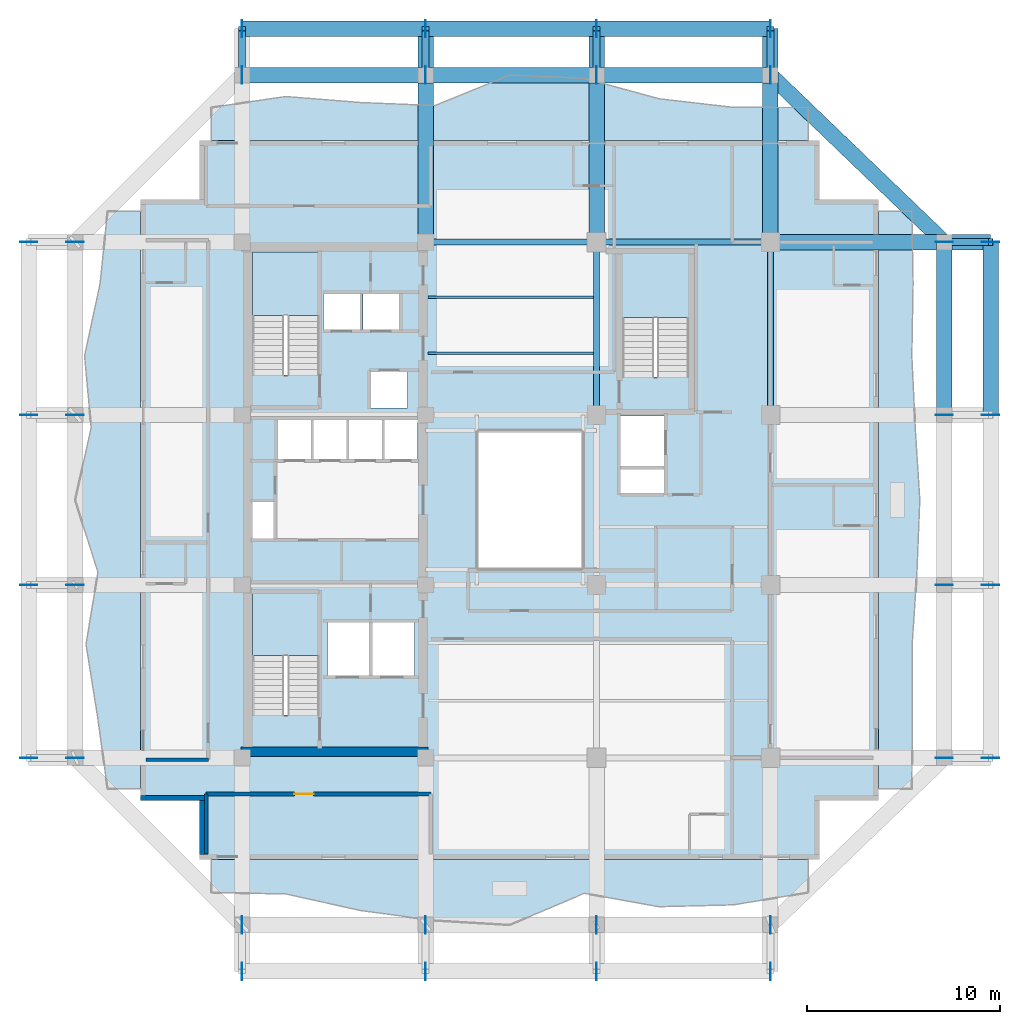
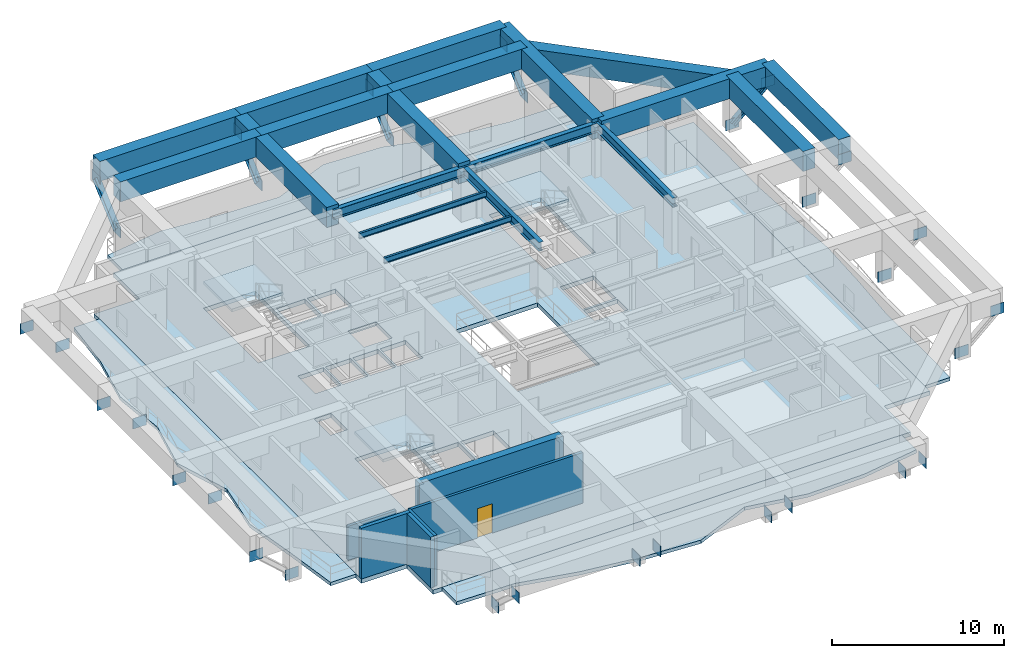
# One storey, part 2 of 11: 32 plates, 19 beams, 8 slabs, 6 walls, 5 members, 1 door, 1 opening, 3 elements without a shape of their own.
"""IFC4 building model written with IfcOpenShell, lengths in metres."""

from ifc_helpers import new_model, si_unit, direction, frame, frame_2d, origin, origin_2d, place, context, subcontext, project, spatial, polyline, rectangle, i_section, outline, extrude, material, layer, layer_set, material_profile, profile_set, type_object, element, fill, aggregate, save


model = new_model("IFC4")

# Units and contexts
model_context = context("Model", 3, precision=1e-05, world=origin(), true_north=direction((0.0, 1.0)))
body_context = subcontext(model_context, "Body", "Model", "MODEL_VIEW")
ifc_project = project(units=[si_unit("LENGTHUNIT", "METRE"), si_unit("AREAUNIT", "SQUARE_METRE"), si_unit("VOLUMEUNIT", "CUBIC_METRE"), si_unit("PLANEANGLEUNIT", "RADIAN"), si_unit("MASSUNIT", "GRAM", prefix="KILO")], contexts=[model_context])

# Site, building, storey
site_placement = place(None, origin())
site = spatial("IfcSite", under=ifc_project, at=site_placement, CompositionType="ELEMENT")
building_placement = place(site_placement, origin())
building = spatial("IfcBuilding", under=site, at=building_placement, Name="Kundavana Baori Tower", CompositionType="ELEMENT")
storey_placement = place(building_placement, frame((0.0, 0.0, 154.050048828125)))
storey = spatial("IfcBuildingStorey", under=building, at=storey_placement, Name="L37", CompositionType="ELEMENT", Elevation=154.050048828125)

# Beams
ifc_material_1 = material(Name="Structural Steel S355JR", Category="steel")
ifc_material_profile_1 = material_profile(ifc_material_1, i_section(OverallWidth=0.139892578125, OverallDepth=0.39990234375, WebThickness=0.0087890625, FlangeThickness=0.01611328125, FilletRadius=0.013916015625, at=origin_2d()), Name="ISMB 400")
ifc_profile_set_1 = profile_set([ifc_material_profile_1], Name="Structural Steel S355JR")
beam_type_1 = type_object("IfcBeamType", Name="BM-JST-400", PredefinedType="JOIST", material=ifc_profile_set_1)
for number, where, z_axis, x_axis, name in (
    (1, (25.080078125, 36.199951171875, 3.39990234375), (1.0, 0.0, 0.0), (0.0, 1.0, 0.0), "L37 Central Bay Composite Floor Joist C3"),
    (2, (25.080078125, 39.10009765625, 3.39990234375), (1.0, 0.0, 0.0), (0.0, 1.0, 0.0), "L37 Central Bay Composite Floor Joist C4"),
):
    element("IfcBeam", number, at=place(storey_placement, frame(where, z_axis=z_axis, x_axis=x_axis)), inside=storey, type_object=beam_type_1, Name=name, PredefinedType="JOIST", context=body_context, shape_type="SweptSolid", body=[
        extrude(i_section(OverallWidth=0.139892578125, OverallDepth=0.39990234375, WebThickness=0.0087890625, FlangeThickness=0.01611328125, FilletRadius=0.013916015625, at=origin_2d()), origin(), (0.0, 0.0, 1.0), 8.56982421875),
    ])
ifc_material_2 = material(Name="Structural Steel S355JR", Category="steel")
ifc_material_profile_2 = material_profile(ifc_material_2, i_section(OverallWidth=0.300048828125, OverallDepth=0.64990234375, WebThickness=0.013427734375, FlangeThickness=0.02197265625, FilletRadius=0.02392578125, at=origin_2d()), Name="NPB 650x300x155")
ifc_profile_set_2 = profile_set([ifc_material_profile_2], Name="Structural Steel S355JR")
beam_type_2 = type_object("IfcBeamType", Name="BM-ST-650", PredefinedType="BEAM", material=ifc_profile_set_2)
beam_1_placement = place(storey_placement, frame((24.949951171875, 41.949951171875, 3.27490234375), z_axis=(1.0, 0.0, 0.0), x_axis=(0.0, 1.0, 0.0)))
element("IfcBeam", 3, at=beam_1_placement, inside=storey, type_object=beam_type_2, Name="L37 Primary Grid Girder GX-4-2", PredefinedType="BEAM", context=body_context, shape_type="SweptSolid", body=[
    extrude(i_section(OverallWidth=0.300048828125, OverallDepth=0.64990234375, WebThickness=0.013427734375, FlangeThickness=0.02197265625, FilletRadius=0.02392578125, at=origin_2d()), origin(), (0.0, 0.0, 1.0), 8.85009765625),
])
beam_2_placement = place(storey_placement, frame((33.800048828125, 41.949951171875, 3.27490234375), z_axis=(1.0, 0.0, 0.0), x_axis=(0.0, 1.0, 0.0)))
element("IfcBeam", 4, at=beam_2_placement, inside=storey, type_object=beam_type_2, Name="L37 Primary Grid Girder GX-4-3", PredefinedType="BEAM", context=body_context, shape_type="SweptSolid", body=[
    extrude(i_section(OverallWidth=0.300048828125, OverallDepth=0.64990234375, WebThickness=0.013427734375, FlangeThickness=0.02197265625, FilletRadius=0.02392578125, at=origin_2d()), origin(), (0.0, 0.0, 1.0), 9.0),
])
for number, where, z_axis, x_axis, name in (
    (5, (33.800048828125, 33.0, 3.27490234375), (0.0, 1.0, 0.0), (-1.0, 0.0, 0.0), "L37 Primary Grid Girder GY-3-3"),
    (6, (42.800048828125, 33.0, 3.27490234375), (0.0, 1.0, 0.0), (-1.0, 0.0, 0.0), "L37 Primary Grid Girder GY-4-3"),
):
    element("IfcBeam", number, at=place(storey_placement, frame(where, z_axis=z_axis, x_axis=x_axis)), inside=storey, type_object=beam_type_2, Name=name, PredefinedType="BEAM", context=body_context, shape_type="SweptSolid", body=[
        extrude(i_section(OverallWidth=0.300048828125, OverallDepth=0.64990234375, WebThickness=0.013427734375, FlangeThickness=0.02197265625, FilletRadius=0.02392578125, at=origin_2d()), origin(), (0.0, 0.0, 1.0), 8.949951171875),
    ])
ifc_material_3 = material(Name="Concrete C50/60", Category="concrete")
ifc_material_profile_3 = material_profile(ifc_material_3, rectangle(XDim=0.800048828125, YDim=1.419921875, at=origin_2d()), Name="BM-TG-4")
ifc_profile_set_3 = profile_set([ifc_material_profile_3], Name="Concrete C50/60")
beam_type_3 = type_object("IfcBeamType", Name="BM-TG-4", PredefinedType="USERDEFINED", material=ifc_profile_set_3)
beam_3_placement = place(storey_placement, frame((15.449951171875, 50.60009765625, 3.139892578125), z_axis=(1.0, 0.0, 0.0), x_axis=(0.0, 1.0, 0.0)))
element("IfcBeam", 7, at=beam_3_placement, inside=storey, type_object=beam_type_3, Name="L37 Perimeter Frame Ring Beam N1", ObjectType="TRANSFER GIRDER", PredefinedType="USERDEFINED", context=body_context, shape_type="SweptSolid", body=[
    extrude(rectangle(XDim=0.800048828125, YDim=1.419921875, at=origin_2d()), origin(), (0.0, 0.0, 1.0), 9.5),
])
beam_4_placement = place(storey_placement, frame((24.949951171875, 50.60009765625, 3.139892578125), z_axis=(1.0, 0.0, 0.0), x_axis=(0.0, 1.0, 0.0)))
element("IfcBeam", 8, at=beam_4_placement, inside=storey, type_object=beam_type_3, Name="L37 Perimeter Frame Ring Beam N2", ObjectType="TRANSFER GIRDER", PredefinedType="USERDEFINED", context=body_context, shape_type="SweptSolid", body=[
    extrude(rectangle(XDim=0.800048828125, YDim=1.419921875, at=origin_2d()), origin(), (0.0, 0.0, 1.0), 8.85009765625),
])
beam_5_placement = place(storey_placement, frame((33.800048828125, 50.60009765625, 3.139892578125), z_axis=(1.0, 0.0, 0.0), x_axis=(0.0, 1.0, 0.0)))
element("IfcBeam", 9, at=beam_5_placement, inside=storey, type_object=beam_type_3, Name="L37 Perimeter Frame Ring Beam N3", ObjectType="TRANSFER GIRDER", PredefinedType="USERDEFINED", context=body_context, shape_type="SweptSolid", body=[
    extrude(rectangle(XDim=0.800048828125, YDim=1.419921875, at=origin_2d()), origin(), (0.0, 0.0, 1.0), 9.0),
])
beam_6_placement = place(storey_placement, frame((51.800048828125, 33.0, 3.139892578125), z_axis=(0.0, 1.0, 0.0), x_axis=(-1.0, 0.0, 0.0)))
element("IfcBeam", 10, at=beam_6_placement, inside=storey, type_object=beam_type_3, Name="L37 Perimeter Frame Ring Beam E3", ObjectType="TRANSFER GIRDER", PredefinedType="USERDEFINED", context=body_context, shape_type="SweptSolid", body=[
    extrude(rectangle(XDim=0.800048828125, YDim=1.419921875, at=origin_2d()), origin(), (0.0, 0.0, 1.0), 8.949951171875),
])
beam_7_placement = place(storey_placement, frame((42.800048828125, 50.60009765625, 3.139892578125), z_axis=(0.720981122985, -0.692954702921, 0.0), x_axis=(0.692954702921, 0.720981122985, 0.0)))
element("IfcBeam", 11, at=beam_7_placement, inside=storey, type_object=beam_type_3, Name="L37 Notched Corner Perimeter Beam NE", ObjectType="TRANSFER GIRDER", PredefinedType="USERDEFINED", context=body_context, shape_type="SweptSolid", body=[
    extrude(rectangle(XDim=0.800048828125, YDim=1.419921875, at=origin_2d()), origin(), (0.0, 0.0, 1.0), 12.48291015625),
])
for number, where, z_axis, x_axis, name in (
    (12, (24.949951171875, 41.949951171875, 3.139892578125), (0.0, 1.0, 0.0), (-1.0, 0.0, 0.0), "L37 North Radial Transfer Girder N2"),
    (13, (33.800048828125, 41.949951171875, 3.139892578125), (0.0, 1.0, 0.0), (-1.0, 0.0, 0.0), "L37 North Radial Transfer Girder N3"),
    (14, (42.800048828125, 41.949951171875, 3.139892578125), (0.0, 1.0, 0.0), (-1.0, 0.0, 0.0), "L37 North Radial Transfer Girder N4"),
):
    element("IfcBeam", number, at=place(storey_placement, frame(where, z_axis=z_axis, x_axis=x_axis)), inside=storey, type_object=beam_type_3, Name=name, ObjectType="TRANSFER GIRDER", PredefinedType="USERDEFINED", context=body_context, shape_type="SweptSolid", body=[
        extrude(rectangle(XDim=0.800048828125, YDim=1.419921875, at=origin_2d()), origin(), (0.0, 0.0, 1.0), 11.050048828125),
    ])
beam_8_placement = place(storey_placement, frame((42.800048828125, 41.949951171875, 3.139892578125), z_axis=(1.0, 0.0, 0.0), x_axis=(0.0, 1.0, 0.0)))
element("IfcBeam", 15, at=beam_8_placement, inside=storey, type_object=beam_type_3, Name="L37 East Radial Transfer Girder E4", ObjectType="TRANSFER GIRDER", PredefinedType="USERDEFINED", context=body_context, shape_type="SweptSolid", body=[
    extrude(rectangle(XDim=0.800048828125, YDim=1.419921875, at=origin_2d()), origin(), (0.0, 0.0, 1.0), 11.39990234375),
])
beam_9_placement = place(storey_placement, frame((15.449951171875, 53.0, 3.139892578125), z_axis=(1.0, 0.0, 0.0), x_axis=(0.0, 1.0, 0.0)))
element("IfcBeam", 16, at=beam_9_placement, inside=storey, type_object=beam_type_3, Name="L37 Setback Collar Transfer Girder N1", ObjectType="TRANSFER GIRDER", PredefinedType="USERDEFINED", context=body_context, shape_type="SweptSolid", body=[
    extrude(rectangle(XDim=0.800048828125, YDim=1.419921875, at=origin_2d()), origin(), (0.0, 0.0, 1.0), 9.5),
])
beam_10_placement = place(storey_placement, frame((24.949951171875, 53.0, 3.139892578125), z_axis=(1.0, 0.0, 0.0), x_axis=(0.0, 1.0, 0.0)))
element("IfcBeam", 17, at=beam_10_placement, inside=storey, type_object=beam_type_3, Name="L37 Setback Collar Transfer Girder N2", ObjectType="TRANSFER GIRDER", PredefinedType="USERDEFINED", context=body_context, shape_type="SweptSolid", body=[
    extrude(rectangle(XDim=0.800048828125, YDim=1.419921875, at=origin_2d()), origin(), (0.0, 0.0, 1.0), 8.85009765625),
])
beam_11_placement = place(storey_placement, frame((33.800048828125, 53.0, 3.139892578125), z_axis=(1.0, 0.0, 0.0), x_axis=(0.0, 1.0, 0.0)))
element("IfcBeam", 18, at=beam_11_placement, inside=storey, type_object=beam_type_3, Name="L37 Setback Collar Transfer Girder N3", ObjectType="TRANSFER GIRDER", PredefinedType="USERDEFINED", context=body_context, shape_type="SweptSolid", body=[
    extrude(rectangle(XDim=0.800048828125, YDim=1.419921875, at=origin_2d()), origin(), (0.0, 0.0, 1.0), 9.0),
])
beam_12_placement = place(storey_placement, frame((54.199951171875, 33.0, 3.139892578125), z_axis=(0.0, 1.0, 0.0), x_axis=(-1.0, 0.0, 0.0)))
element("IfcBeam", 19, at=beam_12_placement, inside=storey, type_object=beam_type_3, Name="L37 Setback Collar Transfer Girder E3", ObjectType="TRANSFER GIRDER", PredefinedType="USERDEFINED", context=body_context, shape_type="SweptSolid", body=[
    extrude(rectangle(XDim=0.800048828125, YDim=1.419921875, at=origin_2d()), origin(), (0.0, 0.0, 1.0), 8.949951171875),
])

# Members
ifc_material_4 = material(Name="Structural Steel S355JR", Category="steel")
ifc_material_profile_4 = material_profile(ifc_material_4, i_section(OverallWidth=0.360107421875, OverallDepth=0.360107421875, WebThickness=0.012451171875, FlangeThickness=0.0224609375, FilletRadius=0.02392578125, at=origin_2d()), Name="WPB 360x360x142")
ifc_profile_set_4 = profile_set([ifc_material_profile_4], Name="Structural Steel S355JR")
member_type = type_object("IfcMemberType", Name="MEM-WSTR-360", PredefinedType="STRUT", material=ifc_profile_set_4)
for number, where, z_axis, x_axis, name in (
    (20, (15.449951171875, 50.60009765625, 0.280029296875), (0.0, 0.744836904798, 0.667246570056), (-1.0, 0.0, 0.0), "L37 Waist Flare Raked Steel Strut N1"),
    (21, (24.949951171875, 50.60009765625, 0.280029296875), (0.0, 0.744836904798, 0.667246570056), (-1.0, 0.0, 0.0), "L37 Waist Flare Raked Steel Strut N2"),
    (22, (33.800048828125, 50.60009765625, 0.280029296875), (0.0, 0.744836904798, 0.667246570056), (-1.0, 0.0, 0.0), "L37 Waist Flare Raked Steel Strut N3"),
    (23, (42.800048828125, 50.60009765625, 0.280029296875), (0.0, 0.744836904798, 0.667246570056), (-1.0, 0.0, 0.0), "L37 Waist Flare Raked Steel Strut N4"),
    (24, (51.800048828125, 41.949951171875, 0.280029296875), (0.744836904798, 0.0, 0.667246570056), (0.0, 1.0, 0.0), "L37 Waist Flare Raked Steel Strut E4"),
):
    element("IfcMember", number, at=place(storey_placement, frame(where, z_axis=z_axis, x_axis=x_axis)), inside=storey, type_object=member_type, Name=name, PredefinedType="STRUT", context=body_context, shape_type="SweptSolid", body=[
        extrude(i_section(OverallWidth=0.360107421875, OverallDepth=0.360107421875, WebThickness=0.012451171875, FlangeThickness=0.0224609375, FilletRadius=0.02392578125, at=origin_2d()), origin(), (0.0, 0.0, 1.0), 3.22216796875),
    ])

# Plates
ifc_material_5 = material(Name="Structural Steel S355JR", Category="steel")
ifc_layer_1 = layer(ifc_material_5, 0.031982421875, Name="PLT-GUSSET-32")
ifc_layer_set_1 = layer_set([ifc_layer_1], Name="Structural Steel S355JR")
plate_type = type_object("IfcPlateType", Name="PLT-GUSSET-32", PredefinedType="USERDEFINED", material=ifc_layer_set_1)
for number, where, z_axis, x_axis, name in (
    (25, (15.449951171875, 6.60009765625, -0.094970703125), (0.0, 0.0, 1.0), (1.0, 0.0, 0.0), "L37 Flare Strut Base Gusset Plate S1"),
    (26, (15.449951171875, 4.199951171875, 2.054931640625), (0.0, 0.0, 1.0), (1.0, 0.0, 0.0), "L37 Flare Strut Top Gusset Plate S1"),
    (27, (15.449951171875, 50.60009765625, -0.094970703125), (0.0, 0.0, 1.0), (1.0, 0.0, 0.0), "L37 Flare Strut Base Gusset Plate N1"),
    (28, (15.449951171875, 53.0, 2.054931640625), (0.0, 0.0, 1.0), (1.0, 0.0, 0.0), "L37 Flare Strut Top Gusset Plate N1"),
    (29, (24.949951171875, 6.60009765625, -0.094970703125), (0.0, 0.0, 1.0), (1.0, 0.0, 0.0), "L37 Flare Strut Base Gusset Plate S2"),
    (30, (24.949951171875, 4.199951171875, 2.054931640625), (0.0, 0.0, 1.0), (1.0, 0.0, 0.0), "L37 Flare Strut Top Gusset Plate S2"),
    (31, (24.949951171875, 50.60009765625, -0.094970703125), (0.0, 0.0, 1.0), (1.0, 0.0, 0.0), "L37 Flare Strut Base Gusset Plate N2"),
    (32, (24.949951171875, 53.0, 2.054931640625), (0.0, 0.0, 1.0), (1.0, 0.0, 0.0), "L37 Flare Strut Top Gusset Plate N2"),
    (33, (33.800048828125, 6.60009765625, -0.094970703125), (0.0, 0.0, 1.0), (1.0, 0.0, 0.0), "L37 Flare Strut Base Gusset Plate S3"),
    (34, (33.800048828125, 4.199951171875, 2.054931640625), (0.0, 0.0, 1.0), (1.0, 0.0, 0.0), "L37 Flare Strut Top Gusset Plate S3"),
    (35, (33.800048828125, 50.60009765625, -0.094970703125), (0.0, 0.0, 1.0), (1.0, 0.0, 0.0), "L37 Flare Strut Base Gusset Plate N3"),
    (36, (33.800048828125, 53.0, 2.054931640625), (0.0, 0.0, 1.0), (1.0, 0.0, 0.0), "L37 Flare Strut Top Gusset Plate N3"),
    (37, (42.800048828125, 6.60009765625, -0.094970703125), (0.0, 0.0, 1.0), (1.0, 0.0, 0.0), "L37 Flare Strut Base Gusset Plate S4"),
    (38, (42.800048828125, 4.199951171875, 2.054931640625), (0.0, 0.0, 1.0), (1.0, 0.0, 0.0), "L37 Flare Strut Top Gusset Plate S4"),
    (39, (42.800048828125, 50.60009765625, -0.094970703125), (0.0, 0.0, 1.0), (1.0, 0.0, 0.0), "L37 Flare Strut Base Gusset Plate N4"),
    (40, (42.800048828125, 53.0, 2.054931640625), (0.0, 0.0, 1.0), (1.0, 0.0, 0.0), "L37 Flare Strut Top Gusset Plate N4"),
):
    element("IfcPlate", number, at=place(storey_placement, frame(where, z_axis=z_axis, x_axis=x_axis)), inside=storey, type_object=plate_type, Name=name, ObjectType="GUSSET PLATE", PredefinedType="USERDEFINED", context=body_context, shape_type="SweptSolid", body=[
        extrude(rectangle(XDim=0.031982421875, YDim=0.89990234375, at=origin_2d()), origin(), (0.0, 0.0, 1.0), 0.75),
    ])
for number, where, z_axis, x_axis, name in (
    (41, (6.800048828125, 15.25, -0.094970703125), (0.0, 0.0, 1.0), (1.0, 0.0, 0.0), "L37 Flare Strut Base Gusset Plate W1"),
    (42, (4.39990234375, 15.25, 2.054931640625), (0.0, 0.0, 1.0), (1.0, 0.0, 0.0), "L37 Flare Strut Top Gusset Plate W1"),
    (43, (51.800048828125, 15.25, -0.094970703125), (0.0, 0.0, 1.0), (1.0, 0.0, 0.0), "L37 Flare Strut Base Gusset Plate E1"),
    (44, (54.199951171875, 15.25, 2.054931640625), (0.0, 0.0, 1.0), (1.0, 0.0, 0.0), "L37 Flare Strut Top Gusset Plate E1"),
    (45, (6.800048828125, 24.199951171875, -0.094970703125), (0.0, 0.0, 1.0), (1.0, 0.0, 0.0), "L37 Flare Strut Base Gusset Plate W2"),
    (46, (4.39990234375, 24.199951171875, 2.054931640625), (0.0, 0.0, 1.0), (1.0, 0.0, 0.0), "L37 Flare Strut Top Gusset Plate W2"),
    (47, (51.800048828125, 24.199951171875, -0.094970703125), (0.0, 0.0, 1.0), (1.0, 0.0, 0.0), "L37 Flare Strut Base Gusset Plate E2"),
    (48, (54.199951171875, 24.199951171875, 2.054931640625), (0.0, 0.0, 1.0), (1.0, 0.0, 0.0), "L37 Flare Strut Top Gusset Plate E2"),
    (49, (6.800048828125, 33.0, -0.094970703125), (0.0, 0.0, 1.0), (1.0, 0.0, 0.0), "L37 Flare Strut Base Gusset Plate W3"),
    (50, (4.39990234375, 33.0, 2.054931640625), (0.0, 0.0, 1.0), (1.0, 0.0, 0.0), "L37 Flare Strut Top Gusset Plate W3"),
    (51, (51.800048828125, 33.0, -0.094970703125), (0.0, 0.0, 1.0), (1.0, 0.0, 0.0), "L37 Flare Strut Base Gusset Plate E3"),
    (52, (54.199951171875, 33.0, 2.054931640625), (0.0, 0.0, 1.0), (1.0, 0.0, 0.0), "L37 Flare Strut Top Gusset Plate E3"),
    (53, (6.800048828125, 41.949951171875, -0.094970703125), (0.0, 0.0, 1.0), (1.0, 0.0, 0.0), "L37 Flare Strut Base Gusset Plate W4"),
    (54, (4.39990234375, 41.949951171875, 2.054931640625), (0.0, 0.0, 1.0), (1.0, 0.0, 0.0), "L37 Flare Strut Top Gusset Plate W4"),
    (55, (51.800048828125, 41.949951171875, -0.094970703125), (0.0, 0.0, 1.0), (1.0, 0.0, 0.0), "L37 Flare Strut Base Gusset Plate E4"),
    (56, (54.199951171875, 41.949951171875, 2.054931640625), (0.0, 0.0, 1.0), (1.0, 0.0, 0.0), "L37 Flare Strut Top Gusset Plate E4"),
):
    element("IfcPlate", number, at=place(storey_placement, frame(where, z_axis=z_axis, x_axis=x_axis)), inside=storey, type_object=plate_type, Name=name, ObjectType="GUSSET PLATE", PredefinedType="USERDEFINED", context=body_context, shape_type="SweptSolid", body=[
        extrude(rectangle(XDim=0.89990234375, YDim=0.031982421875, at=origin_2d()), origin(), (0.0, 0.0, 1.0), 0.75),
    ])

# Slab
ifc_material_6 = material(Name="Concrete C40/50", Category="concrete")
ifc_layer_2 = layer(ifc_material_6, 0.300048828125, Name="SLB-FLR-300")
ifc_layer_set_2 = layer_set([ifc_layer_2], Name="Concrete C40/50")
slab_type_1 = type_object("IfcSlabType", Name="SLB-FLR-300", PredefinedType="FLOOR", material=ifc_layer_set_2)
slab_1_placement = place(storey_placement, frame((0.0, 0.0, -0.300048828125)))
element("IfcSlab", 57, at=slab_1_placement, inside=storey, type_object=slab_type_1, Name="L37 Structural Floor Slab", PredefinedType="FLOOR", context=body_context, shape_type="SweptSolid", body=[
    extrude(outline(polyline([(13.25, 10.0), (45.35009765625, 10.0), (45.35009765625, 13.050048828125), (48.39990234375, 13.050048828125), (48.39990234375, 44.14990234375), (45.35009765625, 44.14990234375), (45.35009765625, 47.199951171875), (13.25, 47.199951171875), (13.25, 44.14990234375), (10.199951171875, 44.14990234375), (10.199951171875, 13.050048828125), (13.25, 13.050048828125), (13.25, 10.0)]), holes=[polyline([(19.43994140625, 17.4619140625), (19.43994140625, 23.85009765625), (15.97998046875, 23.85009765625), (15.97998046875, 17.4619140625), (19.43994140625, 17.4619140625)]), polyline([(19.43994140625, 35.06201171875), (19.43994140625, 41.449951171875), (15.97998046875, 41.449951171875), (15.97998046875, 35.06201171875), (19.43994140625, 35.06201171875)]), polyline([(38.580078125, 34.9619140625), (38.580078125, 41.35009765625), (35.1201171875, 41.35009765625), (35.1201171875, 34.9619140625), (38.580078125, 34.9619140625)]), polyline([(17.300048828125, 30.699951171875), (19.02001953125, 30.699951171875), (19.02001953125, 32.75), (17.300048828125, 32.75), (17.300048828125, 30.699951171875)]), polyline([(19.139892578125, 30.699951171875), (20.860107421875, 30.699951171875), (20.860107421875, 32.75), (19.139892578125, 32.75), (19.139892578125, 30.699951171875)]), polyline([(20.97998046875, 30.699951171875), (22.699951171875, 30.699951171875), (22.699951171875, 32.75), (20.97998046875, 32.75), (20.97998046875, 30.699951171875)]), polyline([(22.820068359375, 30.699951171875), (24.5400390625, 30.699951171875), (24.5400390625, 32.75), (22.820068359375, 32.75), (22.820068359375, 30.699951171875)]), polyline([(19.64990234375, 37.39990234375), (21.550048828125, 37.39990234375), (21.550048828125, 39.300048828125), (19.64990234375, 39.300048828125), (19.64990234375, 37.39990234375)]), polyline([(21.699951171875, 37.39990234375), (23.60009765625, 37.39990234375), (23.60009765625, 39.300048828125), (21.699951171875, 39.300048828125), (21.699951171875, 37.39990234375)]), polyline([(22.10009765625, 33.35009765625), (24.0, 33.35009765625), (24.0, 35.25), (22.10009765625, 35.25), (22.10009765625, 33.35009765625)]), polyline([(19.8798828125, 19.5), (22.02001953125, 19.5), (22.02001953125, 22.25), (19.8798828125, 22.25), (19.8798828125, 19.5)]), polyline([(22.179931640625, 19.5), (24.3798828125, 19.5), (24.3798828125, 22.25), (22.179931640625, 22.25), (22.179931640625, 19.5)]), polyline([(35.050048828125, 30.35009765625), (37.300048828125, 30.35009765625), (37.300048828125, 32.949951171875), (35.050048828125, 32.949951171875), (35.050048828125, 30.35009765625)]), polyline([(15.949951171875, 26.60009765625), (17.080078125, 26.60009765625), (17.080078125, 28.5), (15.949951171875, 28.5), (15.949951171875, 26.60009765625)]), polyline([(35.050048828125, 28.949951171875), (37.300048828125, 28.949951171875), (37.300048828125, 30.199951171875), (35.050048828125, 30.199951171875), (35.050048828125, 28.949951171875)]), polyline([(27.60009765625, 25.0), (33.10009765625, 25.0), (33.10009765625, 32.199951171875), (27.60009765625, 32.199951171875), (27.60009765625, 25.0)])]), origin(), (0.0, 0.0, 1.0), 0.300048828125),
])

# Stair, slab
ifc_material_7 = material(Name="Concrete C40/50", Category="concrete")
stair_type = type_object("IfcStairType", Name="STR-DOG-1650", PredefinedType="HALF_TURN_STAIR", material=ifc_material_7)
stair_1_placement = place(storey_placement, origin())
stair_1 = element("IfcStair", 58, at=stair_1_placement, inside=storey, type_object=stair_type, Name="L37 Protected Exit Stair ST1", PredefinedType="HALF_TURN_STAIR")
ifc_material_8 = material(Name="Concrete C40/50", Category="concrete")
ifc_layer_3 = layer(ifc_material_8, 0.199951171875, Name="SLB-LND-200")
ifc_layer_set_3 = layer_set([ifc_layer_3], Name="Concrete C40/50")
slab_type_2 = type_object("IfcSlabType", Name="SLB-LND-200", PredefinedType="LANDING", material=ifc_layer_set_3)
slab_2_placement = place(storey_placement, frame((0.0, 0.0, 1.724853515625)))
slab_2 = element("IfcSlab", 59, at=slab_2_placement, type_object=slab_type_2, Name="ST1 landing 1", PredefinedType="LANDING", context=body_context, shape_type="SweptSolid", body=[
    extrude(outline(polyline([(19.43994140625, 20.550048828125), (19.43994140625, 23.85009765625), (15.97998046875, 23.85009765625), (15.97998046875, 20.550048828125), (19.43994140625, 20.550048828125)])), origin(), (0.0, 0.0, 1.0), 0.2001953125),
])
aggregate(stair_1, [slab_2])

stair_2_placement = place(storey_placement, origin())
stair_2 = element("IfcStair", 60, at=stair_2_placement, inside=storey, type_object=stair_type, Name="L37 Protected Exit Stair ST2", PredefinedType="HALF_TURN_STAIR")
slab_3_placement = place(storey_placement, frame((0.0, 0.0, 1.724853515625)))
slab_3 = element("IfcSlab", 61, at=slab_3_placement, type_object=slab_type_2, Name="ST2 landing 1", PredefinedType="LANDING", context=body_context, shape_type="SweptSolid", body=[
    extrude(outline(polyline([(19.43994140625, 38.14990234375), (19.43994140625, 41.449951171875), (15.97998046875, 41.449951171875), (15.97998046875, 38.14990234375), (19.43994140625, 38.14990234375)])), origin(), (0.0, 0.0, 1.0), 0.2001953125),
])
aggregate(stair_2, [slab_3])

stair_3_placement = place(storey_placement, origin())
stair_3 = element("IfcStair", 62, at=stair_3_placement, inside=storey, type_object=stair_type, Name="L37 Protected Exit Stair ST3", PredefinedType="HALF_TURN_STAIR")
slab_4_placement = place(storey_placement, frame((0.0, 0.0, 1.724853515625)))
slab_4 = element("IfcSlab", 63, at=slab_4_placement, type_object=slab_type_2, Name="ST3 landing 1", PredefinedType="LANDING", context=body_context, shape_type="SweptSolid", body=[
    extrude(outline(polyline([(38.580078125, 38.050048828125), (38.580078125, 41.35009765625), (35.1201171875, 41.35009765625), (35.1201171875, 38.050048828125), (38.580078125, 38.050048828125)])), origin(), (0.0, 0.0, 1.0), 0.2001953125),
])
aggregate(stair_3, [slab_4])

# Slabs
ifc_material_9 = material(Name="Concrete C40/50", Category="concrete")
ifc_layer_4 = layer(ifc_material_9, 0.239990234375, Name="SLB-LOG-240")
ifc_layer_set_4 = layer_set([ifc_layer_4], Name="Concrete C40/50")
slab_type_3 = type_object("IfcSlabType", Name="SLB-LOG-240", PredefinedType="FLOOR", material=ifc_layer_set_4)
slab_5_placement = place(storey_placement, frame((0.0, 0.0, -0.239990234375)))
element("IfcSlab", 64, at=slab_5_placement, inside=storey, type_object=slab_type_3, Name="L37 Planted Loggia Balcony Slab S", PredefinedType="FLOOR", context=body_context, shape_type="SweptSolid", body=[
    extrude(outline(polyline([(13.85009765625, 10.0), (44.75, 10.0), (44.75, 8.280029296875), (40.886962890625, 7.64111328125), (37.02490234375, 7.544921875), (33.1630859375, 8.238037109375), (29.300048828125, 6.60009765625), (25.43798828125, 6.827880859375), (21.574951171875, 7.34912109375), (17.7119140625, 8.2060546875), (13.85009765625, 8.280029296875), (13.85009765625, 10.0)])), origin(), (0.0, 0.0, 1.0), 0.239990234375),
])
slab_6_placement = place(storey_placement, frame((0.0, 0.0, -0.239990234375)))
element("IfcSlab", 65, at=slab_6_placement, inside=storey, type_object=slab_type_3, Name="L37 Planted Loggia Balcony Slab E", PredefinedType="FLOOR", context=body_context, shape_type="SweptSolid", body=[
    extrude(outline(polyline([(48.39990234375, 13.64990234375), (48.39990234375, 43.550048828125), (50.1201171875, 43.550048828125), (50.18505859375, 39.81201171875), (50.1201171875, 36.074951171875), (50.2958984375, 32.3369140625), (50.533935546875, 28.60009765625), (50.384033203125, 24.862060546875), (50.138916015625, 21.125), (50.152099609375, 17.386962890625), (50.1201171875, 13.64990234375), (48.39990234375, 13.64990234375)])), origin(), (0.0, 0.0, 1.0), 0.239990234375),
])
slab_7_placement = place(storey_placement, frame((0.0, 0.0, -0.239990234375)))
element("IfcSlab", 66, at=slab_7_placement, inside=storey, type_object=slab_type_3, Name="L37 Planted Loggia Balcony Slab N", PredefinedType="FLOOR", context=body_context, shape_type="SweptSolid", body=[
    extrude(outline(polyline([(44.75, 47.199951171875), (13.85009765625, 47.199951171875), (13.85009765625, 48.919921875), (17.7119140625, 49.488037109375), (21.574951171875, 49.177001953125), (25.43798828125, 49.02001953125), (29.300048828125, 50.60009765625), (33.1630859375, 50.429931640625), (37.02490234375, 49.373046875), (40.886962890625, 48.924072265625), (44.75, 48.919921875), (44.75, 47.199951171875)])), origin(), (0.0, 0.0, 1.0), 0.239990234375),
])
slab_8_placement = place(storey_placement, frame((0.0, 0.0, -0.239990234375)))
element("IfcSlab", 67, at=slab_8_placement, inside=storey, type_object=slab_type_3, Name="L37 Planted Loggia Balcony Slab W", PredefinedType="FLOOR", context=body_context, shape_type="SweptSolid", body=[
    extrude(outline(polyline([(10.199951171875, 43.550048828125), (10.199951171875, 13.64990234375), (8.47998046875, 13.64990234375), (7.965087890625, 17.386962890625), (7.366943359375, 21.125), (7.98388671875, 24.862060546875), (6.800048828125, 28.60009765625), (7.633056640625, 32.3369140625), (7.29296875, 36.074951171875), (8.09912109375, 39.81201171875), (8.47998046875, 43.550048828125), (10.199951171875, 43.550048828125)])), origin(), (0.0, 0.0, 1.0), 0.239990234375),
])

# Walls
ifc_material_10 = material(Name="Concrete C50/60", Category="concrete")
ifc_layer_5 = layer(ifc_material_10, 0.5, Name="WL-CORE-500")
ifc_layer_set_5 = layer_set([ifc_layer_5], Name="Concrete C50/60")
wall_type_1 = type_object("IfcWallType", Name="WL-CORE-500", PredefinedType="SHEAR", material=ifc_layer_set_5)
wall_1_placement = place(storey_placement, frame((15.39990234375, 15.56005859375, 0.0), z_axis=(0.0, 0.0, 1.0), x_axis=(1.0, 0.0, 0.0)))
element("IfcWall", 68, at=wall_1_placement, inside=storey, type_object=wall_type_1, Name="L37 Offset Core South Shear Wall", PredefinedType="SHEAR", context=body_context, shape_type="SweptSolid", body=[
    extrude(rectangle(XDim=9.68017578125, YDim=0.5, at=frame_2d((4.840087890625, 0.0))), origin(), (0.0, 0.0, 1.0), 3.599853515625),
])
ifc_material_11 = material(Name="Kiln-Fired Terracotta Brick-Slip Masonry on Concrete C40/50", Category="masonry")
ifc_layer_6 = layer(ifc_material_11, 0.260009765625, Name="WL-EXT-BRK-260")
ifc_layer_set_6 = layer_set([ifc_layer_6], Name="Kiln-Fired Terracotta Brick-Slip Masonry on Concrete C40/50")
wall_type_2 = type_object("IfcWallType", Name="WL-EXT-BRK-260", PredefinedType="SOLIDWALL", material=ifc_layer_set_6)
wall_2_placement = place(storey_placement, frame((10.199951171875, 13.179931640625, 0.0), z_axis=(0.0, 0.0, 1.0), x_axis=(1.0, 0.0, 0.0)))
element("IfcWall", 69, at=wall_2_placement, inside=storey, type_object=wall_type_2, Name="L37 Exterior Insulated Facade Wall 11", PredefinedType="SOLIDWALL", context=body_context, shape_type="SweptSolid", body=[
    extrude(rectangle(XDim=3.31005859375, YDim=0.260009765625, at=frame_2d((1.655029296875, 0.0))), origin(), (0.0, 0.0, 1.0), 3.599853515625),
])
wall_3_placement = place(storey_placement, frame((13.3798828125, 13.050048828125, 0.0), z_axis=(0.0, 0.0, 1.0), x_axis=(0.0, -1.0, 0.0)))
element("IfcWall", 70, at=wall_3_placement, inside=storey, type_object=wall_type_2, Name="L37 Exterior Insulated Facade Wall 12", PredefinedType="SOLIDWALL", context=body_context, shape_type="SweptSolid", body=[
    extrude(rectangle(XDim=2.7900390625, YDim=0.260009765625, at=frame_2d((1.39501953125, 0.0))), origin(), (0.0, 0.0, 1.0), 3.599853515625),
])
ifc_material_12 = material(Name="Autoclaved Aerated Concrete Blockwork Masonry", Category="masonry")
ifc_layer_7 = layer(ifc_material_12, 0.18505859375, Name="WL-PART-180")
ifc_layer_set_7 = layer_set([ifc_layer_7], Name="Autoclaved Aerated Concrete Blockwork Masonry")
wall_type_3 = type_object("IfcWallType", Name="WL-PART-180", PredefinedType="SOLIDWALL", material=ifc_layer_set_7)
wall_4_placement = place(storey_placement, frame((10.47998046875, 15.159912109375, 0.0), z_axis=(0.0, 0.0, 1.0), x_axis=(1.0, 0.0, 0.0)))
element("IfcWall", 71, at=wall_4_placement, inside=storey, type_object=wall_type_3, Name="WL-L37-HWS", PredefinedType="SOLIDWALL", context=body_context, shape_type="SweptSolid", body=[
    extrude(rectangle(XDim=3.219970703125, YDim=0.18505859375, at=frame_2d((1.60986328125, 0.0))), origin(), (0.0, 0.0, 1.0), 2.429931640625),
])

# Wall, opening, door
wall_5_placement = place(storey_placement, frame((13.590087890625, 13.3798828125, 0.0), z_axis=(0.0, 0.0, 1.0), x_axis=(1.0, 0.0, 0.0)))
wall_5 = element("IfcWall", 72, at=wall_5_placement, inside=storey, type_object=wall_type_3, Name="WL-L37-HSC", PredefinedType="SOLIDWALL", context=body_context, shape_type="SweptSolid", body=[
    extrude(rectangle(XDim=11.6298828125, YDim=0.18505859375, at=frame_2d((5.81494140625, 0.0))), origin(), (0.0, 0.0, 1.0), 3.599853515625),
])
opening_placement = place(wall_5_placement, frame((4.56005859375, 0.0, 0.0)))
opening = element("IfcOpeningElement", 73, at=opening_placement, cuts=wall_5, Name="Opening ID-100", PredefinedType="OPENING", context=body_context, shape_type="SweptSolid", body=[
    extrude(rectangle(XDim=1.0, YDim=2.080078125, at=frame_2d((0.5, 1.0400390625))), frame((0.0, 0.1025390625, 0.0), z_axis=(0.0, -1.0, 0.0), x_axis=(1.0, 0.0, 0.0)), (0.0, 0.0, 1.0), 0.205078125),
])
ifc_material_13 = material(Name="Engineered Teak Solid-Core Timber Veneer", Category="wood")
door_type = type_object("IfcDoorType", Name="DR-INT-1000", OperationType="NOTDEFINED", PredefinedType="DOOR", material=ifc_material_13)
door_placement = place(opening_placement, frame((1.0, 0.0, 0.0), z_axis=(0.0, 0.0, 1.0), x_axis=(-1.0, 0.0, 0.0)))
door = element("IfcDoor", 74, at=door_placement, inside=storey, type_object=door_type, Name="DR-L37-HMSW", OperationType="SINGLE_SWING_LEFT", OverallHeight=2.080078125, OverallWidth=1.0, PredefinedType="DOOR", context=body_context, shape_type="SweptSolid", body=[
    extrude(rectangle(XDim=1.0, YDim=2.080078125, at=frame_2d((0.5, 1.0400390625))), frame((0.0, 0.02490234375, 0.0), z_axis=(0.0, -1.0, 0.0), x_axis=(1.0, 0.0, 0.0)), (0.0, 0.0, 1.0), 0.050048828125),
])
fill(opening, door)

# Wall
wall_6_placement = place(storey_placement, frame((13.590087890625, 10.280029296875, 0.0), z_axis=(0.0, 0.0, 1.0), x_axis=(0.0, 1.0, 0.0)))
element("IfcWall", 75, at=wall_6_placement, inside=storey, type_object=wall_type_3, Name="WL-L37-HSCW", PredefinedType="SOLIDWALL", context=body_context, shape_type="SweptSolid", body=[
    extrude(rectangle(XDim=3.099853515625, YDim=0.18505859375, at=frame_2d((1.5498046875, 0.0))), origin(), (0.0, 0.0, 1.0), 3.599853515625),
])

save(model, "model.ifc")
